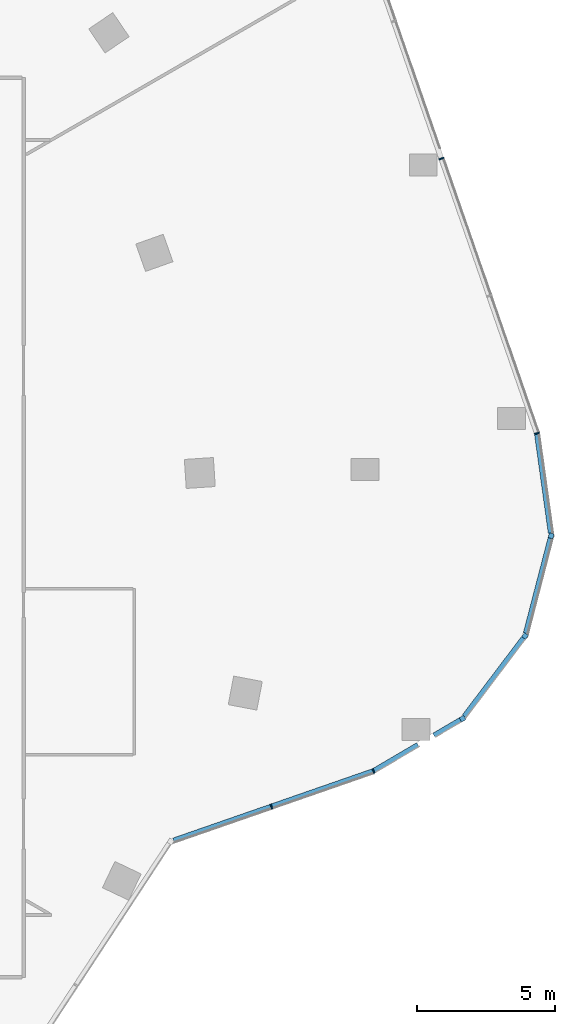
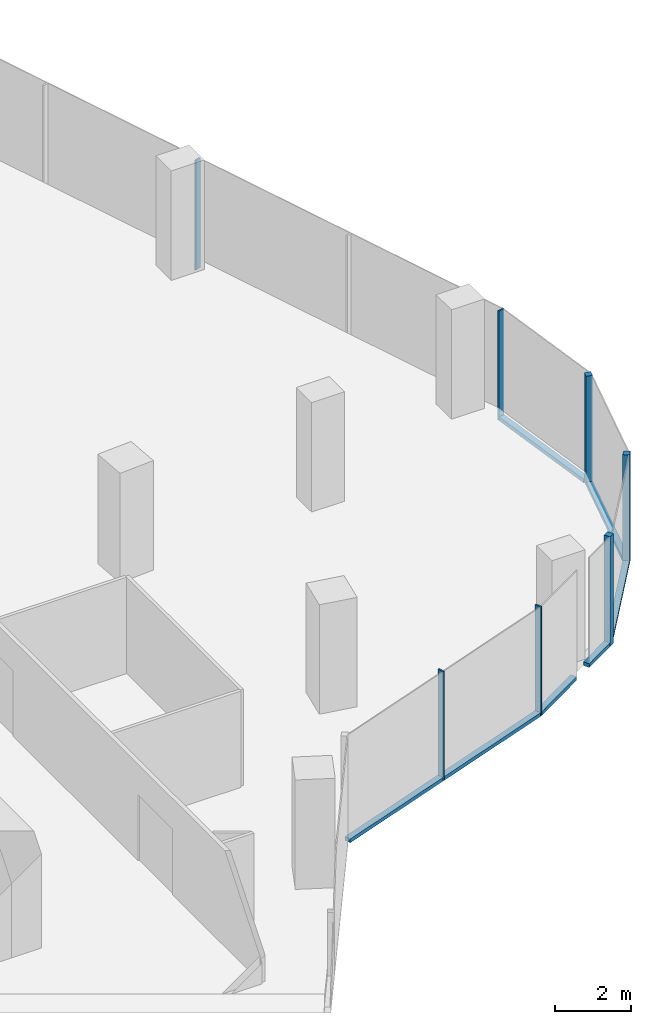
# One storey, part 8 of 24: 13 members, 6 elements without a shape of their own.
"""IFC4 building model written with IfcOpenShell, lengths in metres."""

from ifc_helpers import new_model, si_unit, direction, frame, origin, origin_2d, place, context, subcontext, project, spatial, rectangle, extrude, material, material_profile, profile_set, type_object, element, aggregate, save


model = new_model("IFC4")

# Units and contexts
model_context = context("Model", 3, precision=1e-05, world=origin(), true_north=direction((0.0, 1.0)))
body_context = subcontext(model_context, "Body", "Model", "MODEL_VIEW")
ifc_project = project(units=[si_unit("LENGTHUNIT", "METRE"), si_unit("AREAUNIT", "SQUARE_METRE"), si_unit("VOLUMEUNIT", "CUBIC_METRE"), si_unit("PLANEANGLEUNIT", "RADIAN"), si_unit("MASSUNIT", "GRAM", prefix="KILO")], contexts=[model_context])

# Site, building, storey
site_placement = place(None, origin())
site = spatial("IfcSite", under=ifc_project, at=site_placement, CompositionType="ELEMENT")
building_placement = place(site_placement, origin())
building = spatial("IfcBuilding", under=site, at=building_placement, Name="Orlundy Tower", CompositionType="ELEMENT")
storey_placement = place(building_placement, frame((0.0, 0.0, 239.0)))
storey = spatial("IfcBuildingStorey", under=building, at=storey_placement, Name="L63", CompositionType="ELEMENT", Elevation=239.0)

# Curtain wall, member
ifc_material_1 = material(Name="Aluminium bronze anodised", Category="aluminium")
curtain_wall_type = type_object("IfcCurtainWallType", Name="CW1 wall", PredefinedType="NOTDEFINED", material=ifc_material_1)
curtain_wall_1_placement = place(storey_placement, origin())
curtain_wall_1 = element("IfcCurtainWall", 1, at=curtain_wall_1_placement, inside=storey, type_object=curtain_wall_type, Name="CW1 run 025", PredefinedType="NOTDEFINED")
ifc_material_2 = material(Name="Aluminium bronze anodised", Category="aluminium")
ifc_material_profile_1 = material_profile(ifc_material_2, rectangle(XDim=0.179931640625, YDim=0.179931640625, at=origin_2d()), Name="CW1 corner post 180x180")
ifc_profile_set_1 = profile_set([ifc_material_profile_1], Name="Aluminium bronze anodised")
member_type_1 = type_object("IfcMemberType", Name="CW1 corner post 180x180", PredefinedType="MULLION", material=ifc_profile_set_1)
member_1_placement = place(storey_placement, frame((42.3046875, -0.29833984375, -0.39990234375), z_axis=(0.0, 0.0, 1.0), x_axis=(0.967797533004, -0.251729885218, 0.0)))
member_1 = element("IfcMember", 2, at=member_1_placement, type_object=member_type_1, Name="CW1 mullion 50", PredefinedType="MULLION", context=body_context, shape_type="SweptSolid", body=[
    extrude(rectangle(XDim=0.179931640625, YDim=0.179931640625, at=origin_2d()), origin(), (0.0, 0.0, 1.0), 3.5),
])

curtain_wall_2_placement = place(storey_placement, origin())
curtain_wall_2 = element("IfcCurtainWall", 3, at=curtain_wall_2_placement, inside=storey, type_object=curtain_wall_type, Name="CW1 run 026", PredefinedType="NOTDEFINED")
member_2_placement = place(storey_placement, frame((41.362548828125, -3.919921875, -0.39990234375), z_axis=(0.0, 0.0, 1.0), x_axis=(0.797630845017, -0.603145948405, 0.0)))
member_2 = element("IfcMember", 4, at=member_2_placement, type_object=member_type_1, Name="CW1 mullion 51", PredefinedType="MULLION", context=body_context, shape_type="SweptSolid", body=[
    extrude(rectangle(XDim=0.179931640625, YDim=0.179931640625, at=origin_2d()), origin(), (0.0, 0.0, 1.0), 3.5),
])

curtain_wall_3_placement = place(storey_placement, origin())
curtain_wall_3 = element("IfcCurtainWall", 5, at=curtain_wall_3_placement, inside=storey, type_object=curtain_wall_type, Name="CW1 run 027", PredefinedType="NOTDEFINED")
member_3_placement = place(storey_placement, frame((39.10498046875, -6.905517578125, -0.39990234375), z_axis=(0.0, 0.0, 1.0), x_axis=(0.506418670322, -0.862287730604, 0.0)))
member_3 = element("IfcMember", 6, at=member_3_placement, type_object=member_type_1, Name="CW1 mullion 52", PredefinedType="MULLION", context=body_context, shape_type="SweptSolid", body=[
    extrude(rectangle(XDim=0.179931640625, YDim=0.179931640625, at=origin_2d()), origin(), (0.0, 0.0, 1.0), 3.5),
])

# Curtain wall, members
curtain_wall_4_placement = place(storey_placement, origin())
curtain_wall_4 = element("IfcCurtainWall", 7, at=curtain_wall_4_placement, inside=storey, type_object=curtain_wall_type, Name="CW1 run 00", PredefinedType="NOTDEFINED")
ifc_material_3 = material(Name="Aluminium bronze anodised", Category="aluminium")
ifc_material_profile_2 = material_profile(ifc_material_3, rectangle(XDim=0.179931640625, YDim=0.050048828125, at=origin_2d()), Name="CW1 mullion 50x180")
ifc_profile_set_2 = profile_set([ifc_material_profile_2], Name="Aluminium bronze anodised")
member_type_2 = type_object("IfcMemberType", Name="CW1 mullion 50x180", PredefinedType="MULLION", material=ifc_profile_set_2)
member_4_placement = place(storey_placement, frame((35.885986328125, -8.796142578125, -0.39990234375), z_axis=(0.0, 0.0, 1.0), x_axis=(0.419347091388, -0.907825983845, 0.0)))
member_4 = element("IfcMember", 8, at=member_4_placement, type_object=member_type_2, Name="CW1 mullion 1", PredefinedType="MULLION", context=body_context, shape_type="SweptSolid", body=[
    extrude(rectangle(XDim=0.179931640625, YDim=0.050048828125, at=origin_2d()), origin(), (0.0, 0.0, 1.0), 3.5),
])
member_5_placement = place(storey_placement, frame((32.200927734375, -10.076416015625, -0.39990234375), z_axis=(0.0, 0.0, 1.0), x_axis=(0.328226635601, -0.944599002584, 0.0)))
member_5 = element("IfcMember", 9, at=member_5_placement, type_object=member_type_2, Name="CW1 mullion 2", PredefinedType="MULLION", context=body_context, shape_type="SweptSolid", body=[
    extrude(rectangle(XDim=0.179931640625, YDim=0.050048828125, at=origin_2d()), origin(), (0.0, 0.0, 1.0), 3.5),
])

# Curtain wall, member
curtain_wall_5_placement = place(storey_placement, origin())
curtain_wall_5 = element("IfcCurtainWall", 10, at=curtain_wall_5_placement, inside=storey, type_object=curtain_wall_type, Name="CW1 run 023", PredefinedType="NOTDEFINED")
member_6_placement = place(storey_placement, frame((38.340087890625, 13.32666015625, -0.39990234375), z_axis=(0.0, 0.0, 1.0), x_axis=(0.944577712924, 0.328287898416, 0.0)))
member_6 = element("IfcMember", 11, at=member_6_placement, type_object=member_type_2, Name="CW1 mullion 47", PredefinedType="MULLION", context=body_context, shape_type="SweptSolid", body=[
    extrude(rectangle(XDim=0.179931640625, YDim=0.050048828125, at=origin_2d()), origin(), (0.0, 0.0, 1.0), 3.5),
])
aggregate(curtain_wall_5, [member_6])

curtain_wall_6_placement = place(storey_placement, origin())
curtain_wall_6 = element("IfcCurtainWall", 12, at=curtain_wall_6_placement, inside=storey, type_object=curtain_wall_type, Name="CW1 run 024", PredefinedType="NOTDEFINED")
member_7_placement = place(storey_placement, frame((41.7900390625, 3.400146484375, -0.39990234375), z_axis=(0.0, 0.0, 1.0), x_axis=(0.972191666313, 0.234186600711, 0.0)))
member_7 = element("IfcMember", 13, at=member_7_placement, type_object=member_type_2, Name="CW1 mullion 49", PredefinedType="MULLION", context=body_context, shape_type="SweptSolid", body=[
    extrude(rectangle(XDim=0.179931640625, YDim=0.050048828125, at=origin_2d()), origin(), (0.0, 0.0, 1.0), 3.5),
])

# Member
ifc_material_4 = material(Name="Aluminium bronze anodised", Category="aluminium")
ifc_material_profile_3 = material_profile(ifc_material_4, rectangle(XDim=0.179931640625, YDim=0.1201171875, at=origin_2d()), Name="CW1 transom 180x120")
ifc_profile_set_3 = profile_set([ifc_material_profile_3], Name="Aluminium bronze anodised")
member_type_3 = type_object("IfcMemberType", Name="CW1 transom 180x120", PredefinedType="USERDEFINED", material=ifc_profile_set_3)
member_8_placement = place(storey_placement, frame((35.8623046875, -8.804443359375, -0.340087890625), z_axis=(-0.944607769449, -0.328201404471, 0.0), x_axis=(0.328201404471, -0.944607769449, 0.0)))
member_8 = element("IfcMember", 14, at=member_8_placement, type_object=member_type_3, Name="CW1 transom", ObjectType="TRANSOM", PredefinedType="USERDEFINED", context=body_context, shape_type="SweptSolid", body=[
    extrude(rectangle(XDim=0.179931640625, YDim=0.1201171875, at=origin_2d()), origin(), (0.0, 0.0, 1.0), 7.6240234375),
])

aggregate(curtain_wall_4, [member_4, member_5, member_8])

member_9_placement = place(storey_placement, frame((41.79345703125, 3.375244140625, -0.340087890625), z_axis=(0.137833643701, -0.990455393576, 0.0), x_axis=(0.990455393576, 0.137833643701, 0.0)))
member_9 = element("IfcMember", 15, at=member_9_placement, type_object=member_type_3, Name="CW1 transom", ObjectType="TRANSOM", PredefinedType="USERDEFINED", context=body_context, shape_type="SweptSolid", body=[
    extrude(rectangle(XDim=0.179931640625, YDim=0.1201171875, at=origin_2d()), origin(), (0.0, 0.0, 1.0), 3.611572265625),
])

aggregate(curtain_wall_6, [member_7, member_9])

member_10_placement = place(storey_placement, frame((42.281982421875, -0.385498046875, -0.340087890625), z_axis=(-0.251720057279, -0.967800089256, 0.0), x_axis=(0.967800089256, -0.251720057279, 0.0)))
member_10 = element("IfcMember", 16, at=member_10_placement, type_object=member_type_3, Name="CW1 transom", ObjectType="TRANSOM", PredefinedType="USERDEFINED", context=body_context, shape_type="SweptSolid", body=[
    extrude(rectangle(XDim=0.179931640625, YDim=0.1201171875, at=origin_2d()), origin(), (0.0, 0.0, 1.0), 3.5546875),
])

aggregate(curtain_wall_1, [member_1, member_10])

member_11_placement = place(storey_placement, frame((41.308349609375, -3.99169921875, -0.340087890625), z_axis=(-0.603126388783, -0.797645635074, 0.0), x_axis=(0.797645635074, -0.603126388783, 0.0)))
member_11 = element("IfcMember", 17, at=member_11_placement, type_object=member_type_3, Name="CW1 transom", ObjectType="TRANSOM", PredefinedType="USERDEFINED", context=body_context, shape_type="SweptSolid", body=[
    extrude(rectangle(XDim=0.179931640625, YDim=0.1201171875, at=origin_2d()), origin(), (0.0, 0.0, 1.0), 3.5556640625),
])

aggregate(curtain_wall_2, [member_2, member_11])

member_12_placement = place(storey_placement, frame((39.02734375, -6.951171875, -0.340087890625), z_axis=(-0.862262925153, -0.506460904618, 0.0), x_axis=(0.506460904618, -0.862262925153, 0.0)))
member_12 = element("IfcMember", 18, at=member_12_placement, type_object=member_type_3, Name="CW1 transom", ObjectType="TRANSOM", PredefinedType="USERDEFINED", context=body_context, shape_type="SweptSolid", body=[
    extrude(rectangle(XDim=0.179931640625, YDim=0.1201171875, at=origin_2d()), origin(), (0.0, 0.0, 1.0), 1.106689453125),
])

member_13_placement = place(storey_placement, frame((37.493408203125, -7.85205078125, -0.340087890625), z_axis=(-0.862292301074, -0.506410888023, 0.0), x_axis=(0.506410888023, -0.862292301074, 0.0)))
member_13 = element("IfcMember", 19, at=member_13_placement, type_object=member_type_3, Name="CW1 transom", ObjectType="TRANSOM", PredefinedType="USERDEFINED", context=body_context, shape_type="SweptSolid", body=[
    extrude(rectangle(XDim=0.179931640625, YDim=0.1201171875, at=origin_2d()), origin(), (0.0, 0.0, 1.0), 1.839111328125),
])

aggregate(curtain_wall_3, [member_3, member_12, member_13])

save(model, "model.ifc")
